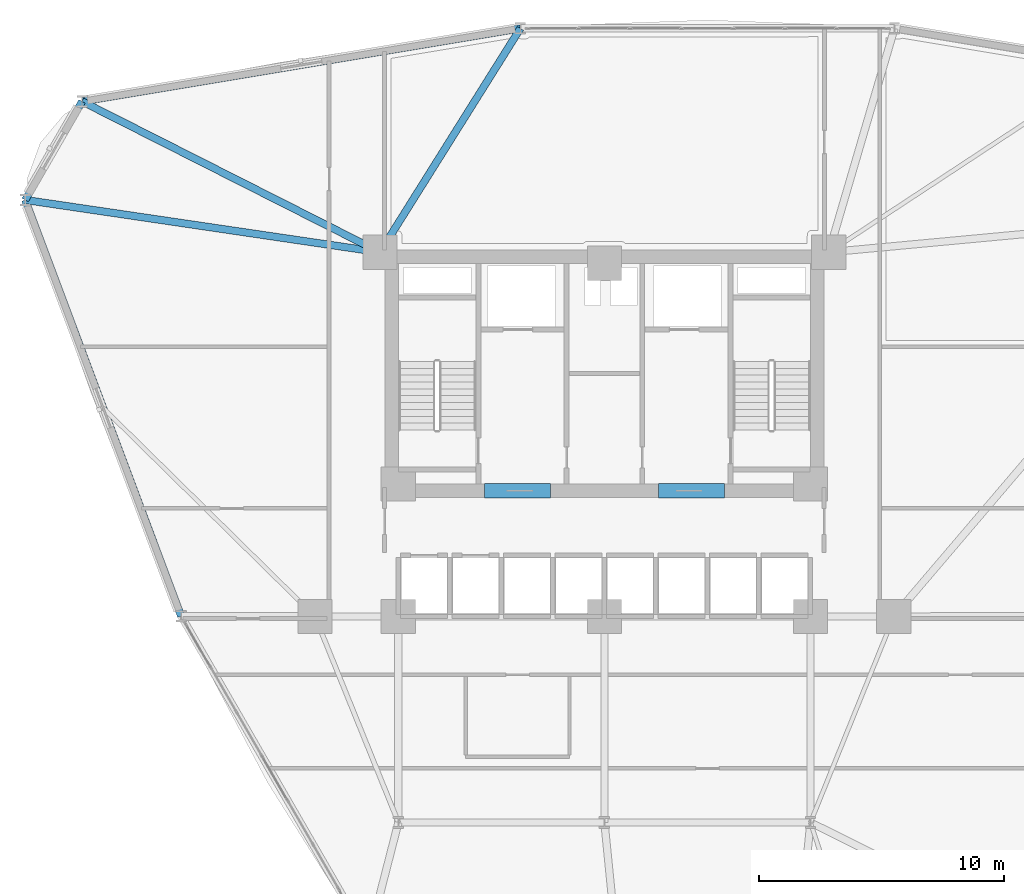
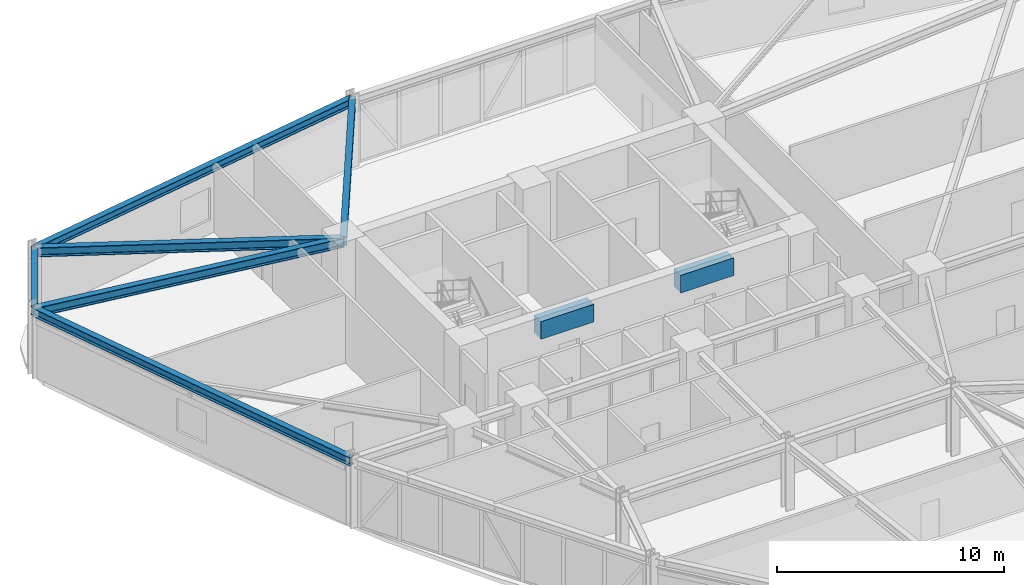
# One storey, part 9 of 20: 8 beams.
"""IFC4 building model written with IfcOpenShell, lengths in metres."""

from ifc_helpers import new_model, si_unit, derived_unit, direction, frame, origin, origin_2d, place, context, subcontext, project, spatial, rectangle, i_section, extrude, source, transform, mapped, material, material_profile, profile_set, type_object, element, save


model = new_model("IFC4")

# Units and contexts
model_context = context("Model", 3, precision=1e-05, world=origin(), true_north=direction((0.0, 1.0)))
body_context = subcontext(model_context, "Body", "Model", "MODEL_VIEW")
ifc_project = project(units=[si_unit("LENGTHUNIT", "METRE"), si_unit("AREAUNIT", "SQUARE_METRE"), si_unit("VOLUMEUNIT", "CUBIC_METRE"), si_unit("PLANEANGLEUNIT", "RADIAN"), si_unit("MASSUNIT", "GRAM", prefix="KILO"), derived_unit("THERMALTRANSMITTANCEUNIT", [(si_unit("POWERUNIT", "WATT"), 1), (si_unit("LENGTHUNIT", "METRE"), -2), (si_unit("THERMODYNAMICTEMPERATUREUNIT", "KELVIN"), -1)])], contexts=[model_context])

# Site, building, storey
site_placement = place(None, origin())
site = spatial("IfcSite", under=ifc_project, at=site_placement, CompositionType="ELEMENT")
building_placement = place(site_placement, origin())
building = spatial("IfcBuilding", under=site, at=building_placement, Name="Korsvarv Bourse and Concert Hall", CompositionType="ELEMENT")
storey_placement = place(building_placement, frame((0.0, 0.0, 67.800048828125)))
storey = spatial("IfcBuildingStorey", under=building, at=storey_placement, Name="L16", CompositionType="ELEMENT", Elevation=67.800048828125)

# Beams
ifc_material_1 = material(Name="Concrete C55/67", Category="concrete")
ifc_material_profile_1 = material_profile(ifc_material_1, rectangle(XDim=0.60009765625, YDim=0.949951171875, at=origin_2d()), Name="RC-BM 600x950")
ifc_profile_set_1 = profile_set([ifc_material_profile_1], Name="Concrete C55/67")
beam_type_1 = type_object("IfcBeamType", Name="BM-CPL", PredefinedType="LINTEL", material=ifc_profile_set_1)
shared_shape_1 = source(origin(), body_context, "Body", "SweptSolid", [
    extrude(rectangle(XDim=0.60009765625, YDim=0.949951171875, at=origin_2d()), origin(), (0.0, 0.0, 1.0), 2.699951171875),
])
for number, where, z_axis, x_axis, name in (
    (1, (31.10009765625, 37.52490234375, 3.204833984375), (1.0, 0.0, 0.0), (0.0, 1.0, 0.0), "L16 Core Coupling Beam West"),
    (2, (38.199951171875, 37.52490234375, 3.204833984375), (1.0, 0.0, 0.0), (0.0, 1.0, 0.0), "L16 Core Coupling Beam East"),
):
    element("IfcBeam", number, at=place(storey_placement, frame(where, z_axis=z_axis, x_axis=x_axis)), inside=storey, type_object=beam_type_1, Name=name, PredefinedType="LINTEL", context=body_context, shape_type="MappedRepresentation", body=[
        mapped(shared_shape_1, transform((0.0, 0.0, 0.0), scale=1.0)),
    ])
ifc_material_2 = material(Name="Steel S355", Category="steel")
ifc_material_profile_2 = material_profile(ifc_material_2, i_section(OverallWidth=0.300048828125, OverallDepth=0.449951171875, WebThickness=0.013916015625, FlangeThickness=0.02587890625, FilletRadius=0.02099609375, at=origin_2d()), Name="HEB 450")
ifc_profile_set_2 = profile_set([ifc_material_profile_2], Name="Steel S355")
beam_type_2 = type_object("IfcBeamType", Name="BM-HEB450", PredefinedType="SPANDREL", material=ifc_profile_set_2)
shared_shape_2 = source(origin(), body_context, "Body", "SweptSolid", [
    extrude(i_section(OverallWidth=0.300048828125, OverallDepth=0.449951171875, WebThickness=0.013916015625, FlangeThickness=0.02587890625, FilletRadius=0.02099609375, at=origin_2d()), origin(), (0.0, 0.0, 1.0), 4.637939453125),
])
beam_1_placement = place(storey_placement, frame((14.702392578125, 53.398681640625, 3.454833984375), z_axis=(-0.50001710905, -0.866015525644, 0.0), x_axis=(0.866015525644, -0.50001710905, 0.0)))
element("IfcBeam", 3, at=beam_1_placement, inside=storey, type_object=beam_type_2, Name="L16 beam B-08", PredefinedType="SPANDREL", context=body_context, shape_type="MappedRepresentation", body=[
    mapped(shared_shape_2, transform((0.0, 0.0, 0.0), scale=1.0)),
])
shared_shape_3 = source(origin(), body_context, "Body", "SweptSolid", [
    extrude(i_section(OverallWidth=0.300048828125, OverallDepth=0.449951171875, WebThickness=0.013916015625, FlangeThickness=0.02587890625, FilletRadius=0.02099609375, at=origin_2d()), origin(), (0.0, 0.0, 1.0), 18.1171875),
])
for number, where, z_axis, x_axis, name in (
    (4, (32.5732421875, 56.376708984375, 3.454833984375), (-0.986397929789, -0.164374949761, 0.0), (0.164374949761, -0.986397929789, 0.0), "L16 beam B-08"),
    (5, (12.38330078125, 49.382080078125, 3.454833984375), (0.350850223085, -0.936431589045, 0.0), (0.936431589045, 0.350850223085, 0.0), "L16 beam B-08"),
):
    element("IfcBeam", number, at=place(storey_placement, frame(where, z_axis=z_axis, x_axis=x_axis)), inside=storey, type_object=beam_type_2, Name=name, PredefinedType="SPANDREL", context=body_context, shape_type="MappedRepresentation", body=[
        mapped(shared_shape_3, transform((0.0, 0.0, 0.0), scale=1.0)),
    ])
ifc_material_profile_3 = material_profile(ifc_material_2, i_section(OverallWidth=0.300048828125, OverallDepth=0.5, WebThickness=0.014404296875, FlangeThickness=0.028076171875, FilletRadius=0.02392578125, at=origin_2d()), Name="HEB 500")
ifc_profile_set_3 = profile_set([ifc_material_profile_3], Name="Steel S355")
beam_type_3 = type_object("IfcBeamType", Name="BM-HEB500", PredefinedType="BEAM", material=ifc_profile_set_3)
shared_shape_4 = source(origin(), body_context, "Body", "SweptSolid", [
    extrude(i_section(OverallWidth=0.300048828125, OverallDepth=0.5, WebThickness=0.014404296875, FlangeThickness=0.028076171875, FilletRadius=0.02392578125, at=origin_2d()), origin(), (0.0, 0.0, 1.0), 10.772705078125),
])
beam_2_placement = place(storey_placement, frame((32.5732421875, 56.376708984375, 3.429931640625), z_axis=(-0.531263397699, -0.847206705749, 0.0), x_axis=(0.847206705749, -0.531263397699, 0.0)))
element("IfcBeam", 6, at=beam_2_placement, inside=storey, type_object=beam_type_3, Name="L16 beam B-07", PredefinedType="BEAM", context=body_context, shape_type="MappedRepresentation", body=[
    mapped(shared_shape_4, transform((0.0, 0.0, 0.0), scale=1.0)),
])
shared_shape_5 = source(origin(), body_context, "Body", "SweptSolid", [
    extrude(i_section(OverallWidth=0.300048828125, OverallDepth=0.5, WebThickness=0.014404296875, FlangeThickness=0.028076171875, FilletRadius=0.02392578125, at=origin_2d()), origin(), (0.0, 0.0, 1.0), 13.615234375),
])
beam_3_placement = place(storey_placement, frame((14.702392578125, 53.398681640625, 3.429931640625), z_axis=(0.892217981347, -0.451604997493, 0.0), x_axis=(0.451604997493, 0.892217981347, 0.0)))
element("IfcBeam", 7, at=beam_3_placement, inside=storey, type_object=beam_type_3, Name="L16 beam B-07", PredefinedType="BEAM", context=body_context, shape_type="MappedRepresentation", body=[
    mapped(shared_shape_5, transform((0.0, 0.0, 0.0), scale=1.0)),
])
shared_shape_6 = source(origin(), body_context, "Body", "SweptSolid", [
    extrude(i_section(OverallWidth=0.300048828125, OverallDepth=0.5, WebThickness=0.014404296875, FlangeThickness=0.028076171875, FilletRadius=0.02392578125, at=origin_2d()), origin(), (0.0, 0.0, 1.0), 14.623046875),
])
beam_4_placement = place(storey_placement, frame((12.38330078125, 49.382080078125, 3.429931640625), z_axis=(0.989313708043, -0.145802561974, 0.0), x_axis=(0.145802561974, 0.989313708043, 0.0)))
element("IfcBeam", 8, at=beam_4_placement, inside=storey, type_object=beam_type_3, Name="L16 beam B-07", PredefinedType="BEAM", context=body_context, shape_type="MappedRepresentation", body=[
    mapped(shared_shape_6, transform((0.0, 0.0, 0.0), scale=1.0)),
])

save(model, "model.ifc")
